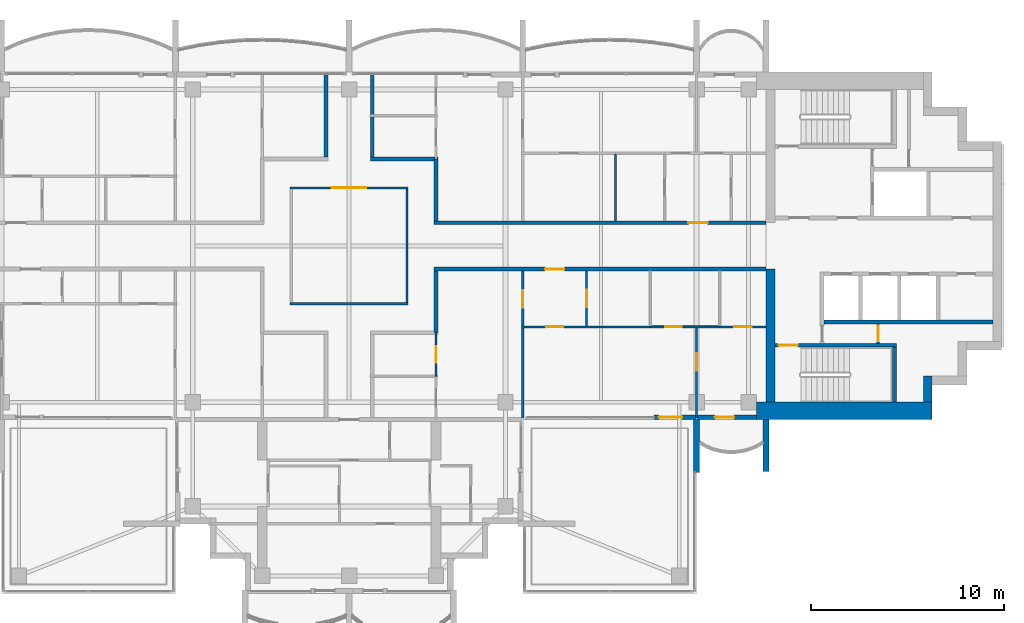
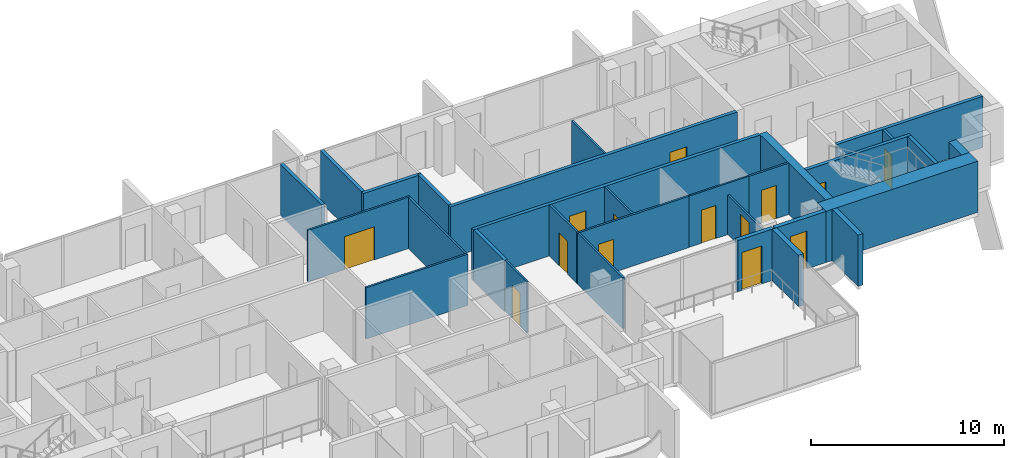
# One storey, part 10 of 16: 29 walls, 14 doors, 14 openings.
"""IFC4 building model written with IfcOpenShell, lengths in metres."""

from ifc_helpers import new_model, si_unit, direction, frame, frame_2d, origin, place, context, subcontext, project, spatial, rectangle, extrude, material, layer, layer_set, type_object, element, fill, save


model = new_model("IFC4")

# Units and contexts
model_context = context("Model", 3, precision=1e-05, world=origin(), true_north=direction((0.0, 1.0)))
body_context = subcontext(model_context, "Body", "Model", "MODEL_VIEW")
ifc_project = project(units=[si_unit("LENGTHUNIT", "METRE"), si_unit("AREAUNIT", "SQUARE_METRE"), si_unit("VOLUMEUNIT", "CUBIC_METRE"), si_unit("PLANEANGLEUNIT", "RADIAN"), si_unit("MASSUNIT", "GRAM", prefix="KILO")], contexts=[model_context])

# Site, building, storey
site_placement = place(None, origin())
site = spatial("IfcSite", under=ifc_project, at=site_placement, CompositionType="ELEMENT")
building_placement = place(site_placement, origin())
building = spatial("IfcBuilding", under=site, at=building_placement, Name="Perihelion Cross Residences", CompositionType="ELEMENT")
storey_placement = place(building_placement, frame((0.0, 0.0, 264.0)))
storey = spatial("IfcBuildingStorey", under=building, at=storey_placement, Name="L67", CompositionType="ELEMENT", Elevation=264.0)

# Wall, opening, door
ifc_material_1 = material(Name="Plasterboard partition")
ifc_layer_1 = layer(ifc_material_1, 0.199951171875)
ifc_layer_set_1 = layer_set([ifc_layer_1], Name="Apartment separation wall 200")
wall_type_1 = type_object("IfcWallType", Name="Apartment separation wall 200", PredefinedType="PARTITIONING", material=ifc_layer_set_1)
wall_1_placement = place(storey_placement, frame((4.39990234375, 1.199951171875, 0.0), z_axis=(0.0, 0.0, 1.0), x_axis=(1.0, 0.0, 0.0)))
wall_1 = element("IfcWall", 1, at=wall_1_placement, inside=storey, type_object=wall_type_1, Name="Partition L67 W005", PredefinedType="PARTITIONING", context=body_context, shape_type="SweptSolid", body=[
    extrude(rectangle(XDim=17.2001953125, YDim=0.199951171875, at=frame_2d((8.60009765625, 0.0))), origin(), (0.0, 0.0, 1.0), 3.25),
])
opening_1_placement = place(wall_1_placement, frame((13.175048828125, 0.0, 0.0)))
opening_1 = element("IfcOpeningElement", 2, at=opening_1_placement, cuts=wall_1, Name="Opening L67.A40", PredefinedType="OPENING", context=body_context, shape_type="SweptSolid", body=[
    extrude(rectangle(XDim=1.0, YDim=2.10009765625, at=frame_2d((0.5, 1.050048828125))), frame((0.0, 0.10986328125, 0.0), z_axis=(0.0, -1.0, 0.0), x_axis=(1.0, 0.0, 0.0)), (0.0, 0.0, 1.0), 0.219970703125),
])
ifc_material_2 = material(Name="Timber door leaf", Category="wood")
door_type_1 = type_object("IfcDoorType", Name="Flat entrance door 1000 x 2100", OperationType="SINGLE_SWING_LEFT", PredefinedType="DOOR", material=ifc_material_2)
door_1_placement = place(opening_1_placement, origin())
door_1 = element("IfcDoor", 3, at=door_1_placement, inside=storey, type_object=door_type_1, Name="Door L67.A40", OperationType="SINGLE_SWING_LEFT", OverallHeight=2.10009765625, OverallWidth=1.0, PredefinedType="DOOR", context=body_context, shape_type="SweptSolid", body=[
    extrude(rectangle(XDim=1.0, YDim=2.10009765625, at=frame_2d((0.5, 1.050048828125))), frame((0.0, 0.02490234375, 0.0), z_axis=(0.0, -1.0, 0.0), x_axis=(1.0, 0.0, 0.0)), (0.0, 0.0, 1.0), 0.050048828125),
])
fill(opening_1, door_1)

# Walls
wall_2_placement = place(storey_placement, frame((4.5, 4.5, 0.0), z_axis=(0.0, 0.0, 1.0), x_axis=(0.0, -1.0, 0.0)))
element("IfcWall", 4, at=wall_2_placement, inside=storey, type_object=wall_type_1, Name="Partition L67 W006", PredefinedType="PARTITIONING", context=body_context, shape_type="SweptSolid", body=[
    extrude(rectangle(XDim=3.199951171875, YDim=0.199951171875, at=frame_2d((1.60009765625, 0.0))), origin(), (0.0, 0.0, 1.0), 3.25),
])
wall_3_placement = place(storey_placement, frame((1.199951171875, 8.919921875, 0.0), z_axis=(0.0, 0.0, 1.0), x_axis=(0.0, -1.0, 0.0)))
element("IfcWall", 5, at=wall_3_placement, inside=storey, type_object=wall_type_1, Name="Partition L67 W007", PredefinedType="PARTITIONING", context=body_context, shape_type="SweptSolid", body=[
    extrude(rectangle(XDim=4.31982421875, YDim=0.199951171875, at=frame_2d((2.159912109375, 0.0))), origin(), (0.0, 0.0, 1.0), 3.25),
])
wall_4_placement = place(storey_placement, frame((1.10009765625, 4.5, 0.0), z_axis=(0.0, 0.0, 1.0), x_axis=(1.0, 0.0, 0.0)))
element("IfcWall", 6, at=wall_4_placement, inside=storey, type_object=wall_type_1, Name="Partition L67 W008", PredefinedType="PARTITIONING", context=body_context, shape_type="SweptSolid", body=[
    extrude(rectangle(XDim=3.5, YDim=0.199951171875, at=frame_2d((1.75, 0.0))), origin(), (0.0, 0.0, 1.0), 3.25),
])

# Wall, opening, door
wall_5_placement = place(storey_placement, frame((21.60009765625, -1.199951171875, 0.0), z_axis=(0.0, 0.0, 1.0), x_axis=(-1.0, 0.0, 0.0)))
wall_5 = element("IfcWall", 7, at=wall_5_placement, inside=storey, type_object=wall_type_1, Name="Partition L67 W009", PredefinedType="PARTITIONING", context=body_context, shape_type="SweptSolid", body=[
    extrude(rectangle(XDim=17.2001953125, YDim=0.199951171875, at=frame_2d((8.60009765625, 0.0))), origin(), (0.0, 0.0, 1.0), 3.25),
])
opening_2_placement = place(wall_5_placement, frame((10.449951171875, 0.0, 0.0)))
opening_2 = element("IfcOpeningElement", 8, at=opening_2_placement, cuts=wall_5, Name="Opening L67.A41", PredefinedType="OPENING", context=body_context, shape_type="SweptSolid", body=[
    extrude(rectangle(XDim=1.0, YDim=2.10009765625, at=frame_2d((0.5, 1.050048828125))), frame((0.0, 0.10986328125, 0.0), z_axis=(0.0, -1.0, 0.0), x_axis=(1.0, 0.0, 0.0)), (0.0, 0.0, 1.0), 0.219970703125),
])
door_2_placement = place(opening_2_placement, origin())
door_2 = element("IfcDoor", 9, at=door_2_placement, inside=storey, type_object=door_type_1, Name="Door L67.A41", OperationType="SINGLE_SWING_LEFT", OverallHeight=2.10009765625, OverallWidth=1.0, PredefinedType="DOOR", context=body_context, shape_type="SweptSolid", body=[
    extrude(rectangle(XDim=1.0, YDim=2.10009765625, at=frame_2d((0.5, 1.050048828125))), frame((0.0, 0.02490234375, 0.0), z_axis=(0.0, -1.0, 0.0), x_axis=(1.0, 0.0, 0.0)), (0.0, 0.0, 1.0), 0.050048828125),
])
fill(opening_2, door_2)

# Walls
wall_6_placement = place(storey_placement, frame((4.5, -1.300048828125, 0.0), z_axis=(0.0, 0.0, 1.0), x_axis=(0.0, -1.0, 0.0)))
element("IfcWall", 10, at=wall_6_placement, inside=storey, type_object=wall_type_1, Name="Partition L67 W010", PredefinedType="PARTITIONING", context=body_context, shape_type="SweptSolid", body=[
    extrude(rectangle(XDim=3.199951171875, YDim=0.199951171875, at=frame_2d((1.60009765625, 0.0))), origin(), (0.0, 0.0, 1.0), 3.25),
])
wall_7_placement = place(storey_placement, frame((-1.199951171875, 4.60009765625, 0.0), z_axis=(0.0, 0.0, 1.0), x_axis=(0.0, 1.0, 0.0)))
element("IfcWall", 11, at=wall_7_placement, inside=storey, type_object=wall_type_1, Name="Partition L67 W016", PredefinedType="PARTITIONING", context=body_context, shape_type="SweptSolid", body=[
    extrude(rectangle(XDim=4.31982421875, YDim=0.199951171875, at=frame_2d((2.159912109375, 0.0))), origin(), (0.0, 0.0, 1.0), 3.25),
])

# Wall, opening, door
ifc_material_3 = material(Name="Concrete C30/37, bronze-clad", Category="concrete")
ifc_layer_2 = layer(ifc_material_3, 0.25)
ifc_layer_set_2 = layer_set([ifc_layer_2], Name="Bronze-clad pier wall 250")
wall_type_2 = type_object("IfcWallType", Name="Bronze-clad pier wall 250", PredefinedType="SOLIDWALL", material=ifc_layer_set_2)
wall_8_placement = place(storey_placement, frame((15.800048828125, -8.875, 0.0), z_axis=(0.0, 0.0, 1.0), x_axis=(1.0, 0.0, 0.0)))
wall_8 = element("IfcWall", 12, at=wall_8_placement, inside=storey, type_object=wall_type_2, Name="Wall FW1 L67 east side south bay 1 pier", PredefinedType="SOLIDWALL", context=body_context, shape_type="SweptSolid", body=[
    extrude(rectangle(XDim=2.139892578125, YDim=0.25, at=frame_2d((1.06982421875, 0.0))), origin(), (0.0, 0.0, 1.0), 3.25),
])
opening_3_placement = place(wall_8_placement, frame((0.25, 0.0, 0.0)))
opening_3 = element("IfcOpeningElement", 13, at=opening_3_placement, cuts=wall_8, Name="Opening L67.E13", PredefinedType="OPENING", context=body_context, shape_type="SweptSolid", body=[
    extrude(rectangle(XDim=1.199951171875, YDim=2.39990234375, at=frame_2d((0.60009765625, 1.199951171875))), frame((0.0, 0.135009765625, 0.0), z_axis=(0.0, -1.0, 0.0), x_axis=(1.0, 0.0, 0.0)), (0.0, 0.0, 1.0), 0.27001953125),
])
ifc_material_4 = material(Name="Bronze anodised aluminium, glazed", Category="aluminium")
door_type_2 = type_object("IfcDoorType", Name="Balcony door 1200 x 2400", OperationType="NOTDEFINED", PredefinedType="DOOR", material=ifc_material_4)
door_3_placement = place(opening_3_placement, origin())
door_3 = element("IfcDoor", 14, at=door_3_placement, inside=storey, type_object=door_type_2, Name="Door L67.E13 east side south bay 1", OperationType="SINGLE_SWING_LEFT", OverallHeight=2.39990234375, OverallWidth=1.199951171875, PredefinedType="DOOR", context=body_context, shape_type="SweptSolid", body=[
    extrude(rectangle(XDim=1.199951171875, YDim=2.39990234375, at=frame_2d((0.60009765625, 1.199951171875))), frame((0.0, 0.02490234375, 0.0), z_axis=(0.0, -1.0, 0.0), x_axis=(1.0, 0.0, 0.0)), (0.0, 0.0, 1.0), 0.050048828125),
])
fill(opening_3, door_3)

wall_9_placement = place(storey_placement, frame((18.06005859375, -8.875, 0.0), z_axis=(0.0, 0.0, 1.0), x_axis=(1.0, 0.0, 0.0)))
wall_9 = element("IfcWall", 15, at=wall_9_placement, inside=storey, type_object=wall_type_2, Name="Wall FW1 L67 east side south bay 2 pier", PredefinedType="SOLIDWALL", context=body_context, shape_type="SweptSolid", body=[
    extrude(rectangle(XDim=3.0400390625, YDim=0.25, at=frame_2d((1.52001953125, 0.0))), origin(), (0.0, 0.0, 1.0), 3.25),
])
opening_4_placement = place(wall_9_placement, frame((0.889892578125, 0.0, 0.0)))
opening_4 = element("IfcOpeningElement", 16, at=opening_4_placement, cuts=wall_9, Name="Opening L67.E14", PredefinedType="OPENING", context=body_context, shape_type="SweptSolid", body=[
    extrude(rectangle(XDim=1.0, YDim=2.39990234375, at=frame_2d((0.5, 1.199951171875))), frame((0.0, 0.135009765625, 0.0), z_axis=(0.0, -1.0, 0.0), x_axis=(1.0, 0.0, 0.0)), (0.0, 0.0, 1.0), 0.27001953125),
])
ifc_material_5 = material(Name="Bronze anodised aluminium, glazed", Category="aluminium")
door_type_3 = type_object("IfcDoorType", Name="Balcony door 1000 x 2400", OperationType="NOTDEFINED", PredefinedType="DOOR", material=ifc_material_5)
door_4_placement = place(opening_4_placement, origin())
door_4 = element("IfcDoor", 17, at=door_4_placement, inside=storey, type_object=door_type_3, Name="Door L67.E14 east side south bay 2", OperationType="SINGLE_SWING_RIGHT", OverallHeight=2.39990234375, OverallWidth=1.0, PredefinedType="DOOR", context=body_context, shape_type="SweptSolid", body=[
    extrude(rectangle(XDim=1.0, YDim=2.39990234375, at=frame_2d((0.5, 1.199951171875))), frame((0.0, 0.02490234375, 0.0), z_axis=(0.0, -1.0, 0.0), x_axis=(1.0, 0.0, 0.0)), (0.0, 0.0, 1.0), 0.050048828125),
])
fill(opening_4, door_4)

# Walls
ifc_material_6 = material(Name="Concrete C60/75", Category="concrete")
ifc_layer_3 = layer(ifc_material_6, 0.449951171875)
ifc_layer_set_3 = layer_set([ifc_layer_3], Name="Core wall, inner 450")
wall_type_3 = type_object("IfcWallType", Name="Core wall, inner 450", PredefinedType="SHEAR", material=ifc_layer_set_3)
wall_10_placement = place(storey_placement, frame((21.824951171875, -8.10009765625, 0.0), z_axis=(0.0, 0.0, 1.0), x_axis=(0.0, 1.0, 0.0)))
element("IfcWall", 18, at=wall_10_placement, inside=storey, type_object=wall_type_3, Name="East core core wall, inner", PredefinedType="SHEAR", context=body_context, shape_type="SweptSolid", body=[
    extrude(rectangle(XDim=6.900146484375, YDim=0.449951171875, at=frame_2d((3.4501953125, 0.0))), origin(), (0.0, 0.0, 1.0), 3.25),
])
ifc_material_7 = material(Name="Concrete C60/75", Category="concrete")
ifc_layer_4 = layer(ifc_material_7, 0.449951171875)
ifc_layer_set_4 = layer_set([ifc_layer_4], Name="Core wall, outer 450")
wall_type_4 = type_object("IfcWallType", Name="Core wall, outer 450", PredefinedType="SHEAR", material=ifc_layer_set_4)
wall_11_placement = place(storey_placement, frame((29.97509765625, -8.10009765625, 0.0), z_axis=(0.0, 0.0, 1.0), x_axis=(0.0, 1.0, 0.0)))
element("IfcWall", 19, at=wall_11_placement, inside=storey, type_object=wall_type_4, Name="East core core wall, outer", PredefinedType="SHEAR", context=body_context, shape_type="SweptSolid", body=[
    extrude(rectangle(XDim=1.35009765625, YDim=0.449951171875, at=frame_2d((0.675048828125, 0.0))), origin(), (0.0, 0.0, 1.0), 3.25),
])
ifc_material_8 = material(Name="Concrete C60/75", Category="concrete")
ifc_layer_5 = layer(ifc_material_8, 0.89990234375)
ifc_layer_set_5 = layer_set([ifc_layer_5], Name="Core wall, outer 900")
wall_type_5 = type_object("IfcWallType", Name="Core wall, outer 900", PredefinedType="SHEAR", material=ifc_layer_set_5)
wall_12_placement = place(storey_placement, frame((21.10009765625, -8.550048828125, 0.0), z_axis=(0.0, 0.0, 1.0), x_axis=(1.0, 0.0, 0.0)))
element("IfcWall", 20, at=wall_12_placement, inside=storey, type_object=wall_type_5, Name="East core core wall, outer", PredefinedType="SHEAR", context=body_context, shape_type="SweptSolid", body=[
    extrude(rectangle(XDim=9.099853515625, YDim=0.89990234375, at=frame_2d((4.5498046875, 0.0))), origin(), (0.0, 0.0, 1.0), 3.25),
])
ifc_material_9 = material(Name="Plasterboard partition")
ifc_layer_6 = layer(ifc_material_9, 0.1201171875)
ifc_layer_set_6 = layer_set([ifc_layer_6], Name="Partition wall 120")
wall_type_6 = type_object("IfcWallType", Name="Partition wall 120", PredefinedType="PARTITIONING", material=ifc_layer_set_6)
wall_13_placement = place(storey_placement, frame((-3.06005859375, -3.0, 0.0), z_axis=(0.0, 0.0, 1.0), x_axis=(1.0, 0.0, 0.0)))
element("IfcWall", 21, at=wall_13_placement, inside=storey, type_object=wall_type_6, Name="Partition L67 W001", PredefinedType="PARTITIONING", context=body_context, shape_type="SweptSolid", body=[
    extrude(rectangle(XDim=6.1201171875, YDim=0.1201171875, at=frame_2d((3.06005859375, 0.0))), origin(), (0.0, 0.0, 1.0), 3.25),
])
wall_14_placement = place(storey_placement, frame((3.0, -2.93994140625, 0.0), z_axis=(0.0, 0.0, 1.0), x_axis=(0.0, 1.0, 0.0)))
element("IfcWall", 22, at=wall_14_placement, inside=storey, type_object=wall_type_6, Name="Partition L67 W002", PredefinedType="PARTITIONING", context=body_context, shape_type="SweptSolid", body=[
    extrude(rectangle(XDim=5.8798828125, YDim=0.1201171875, at=frame_2d((2.93994140625, 0.0))), origin(), (0.0, 0.0, 1.0), 3.25),
])

# Wall, opening, door
wall_15_placement = place(storey_placement, frame((3.06005859375, 3.0, 0.0), z_axis=(0.0, 0.0, 1.0), x_axis=(-1.0, 0.0, 0.0)))
wall_15 = element("IfcWall", 23, at=wall_15_placement, inside=storey, type_object=wall_type_6, Name="Partition L67 W003", PredefinedType="PARTITIONING", context=body_context, shape_type="SweptSolid", body=[
    extrude(rectangle(XDim=6.1201171875, YDim=0.1201171875, at=frame_2d((3.06005859375, 0.0))), origin(), (0.0, 0.0, 1.0), 3.25),
])
opening_5_placement = place(wall_15_placement, frame((2.159912109375, 0.0, 0.0)))
opening_5 = element("IfcOpeningElement", 24, at=opening_5_placement, cuts=wall_15, Name="Opening L67.A01", PredefinedType="OPENING", context=body_context, shape_type="SweptSolid", body=[
    extrude(rectangle(XDim=1.800048828125, YDim=2.10009765625, at=frame_2d((0.89990234375, 1.050048828125))), frame((0.0, 0.070068359375, 0.0), z_axis=(0.0, -1.0, 0.0), x_axis=(1.0, 0.0, 0.0)), (0.0, 0.0, 1.0), 0.14013671875),
])
ifc_material_10 = material(Name="Glazed timber door leaf", Category="wood")
door_type_4 = type_object("IfcDoorType", Name="Interior double leaf door 1800 x 2100", OperationType="DOUBLE_DOOR_SINGLE_SWING", PredefinedType="DOOR", material=ifc_material_10)
door_5_placement = place(opening_5_placement, origin())
door_5 = element("IfcDoor", 25, at=door_5_placement, inside=storey, type_object=door_type_4, Name="Door L67.A01", OperationType="SINGLE_SWING_LEFT", OverallHeight=2.10009765625, OverallWidth=1.800048828125, PredefinedType="DOOR", context=body_context, shape_type="SweptSolid", body=[
    extrude(rectangle(XDim=1.800048828125, YDim=2.10009765625, at=frame_2d((0.89990234375, 1.050048828125))), frame((0.0, 0.02490234375, 0.0), z_axis=(0.0, -1.0, 0.0), x_axis=(1.0, 0.0, 0.0)), (0.0, 0.0, 1.0), 0.050048828125),
])
fill(opening_5, door_5)

wall_16_placement = place(storey_placement, frame((12.300048828125, -1.300048828125, 0.0), z_axis=(0.0, 0.0, 1.0), x_axis=(0.0, -1.0, 0.0)))
wall_16 = element("IfcWall", 26, at=wall_16_placement, inside=storey, type_object=wall_type_6, Name="Partition L67 W033", PredefinedType="PARTITIONING", context=body_context, shape_type="SweptSolid", body=[
    extrude(rectangle(XDim=2.83984375, YDim=0.1201171875, at=frame_2d((1.419921875, 0.0))), origin(), (0.0, 0.0, 1.0), 3.25),
])
opening_6_placement = place(wall_16_placement, frame((0.969970703125, 0.0, 0.0)))
opening_6 = element("IfcOpeningElement", 27, at=opening_6_placement, cuts=wall_16, Name="Opening L67.A13", PredefinedType="OPENING", context=body_context, shape_type="SweptSolid", body=[
    extrude(rectangle(XDim=0.89990234375, YDim=2.10009765625, at=frame_2d((0.449951171875, 1.050048828125))), frame((0.0, 0.070068359375, 0.0), z_axis=(0.0, -1.0, 0.0), x_axis=(1.0, 0.0, 0.0)), (0.0, 0.0, 1.0), 0.14013671875),
])
ifc_material_11 = material(Name="Timber door leaf", Category="wood")
door_type_5 = type_object("IfcDoorType", Name="Interior room door 900 x 2100", OperationType="SINGLE_SWING_LEFT", PredefinedType="DOOR", material=ifc_material_11)
door_6_placement = place(opening_6_placement, origin())
door_6 = element("IfcDoor", 28, at=door_6_placement, inside=storey, type_object=door_type_5, Name="Door L67.A13", OperationType="SINGLE_SWING_LEFT", OverallHeight=2.10009765625, OverallWidth=0.89990234375, PredefinedType="DOOR", context=body_context, shape_type="SweptSolid", body=[
    extrude(rectangle(XDim=0.89990234375, YDim=2.10009765625, at=frame_2d((0.449951171875, 1.050048828125))), frame((0.0, 0.02490234375, 0.0), z_axis=(0.0, -1.0, 0.0), x_axis=(1.0, 0.0, 0.0)), (0.0, 0.0, 1.0), 0.050048828125),
])
fill(opening_6, door_6)

wall_17_placement = place(storey_placement, frame((15.60009765625, -4.199951171875, 0.0), z_axis=(0.0, 0.0, 1.0), x_axis=(-1.0, 0.0, 0.0)))
wall_17 = element("IfcWall", 29, at=wall_17_placement, inside=storey, type_object=wall_type_6, Name="Partition L67 W034", PredefinedType="PARTITIONING", context=body_context, shape_type="SweptSolid", body=[
    extrude(rectangle(XDim=6.66015625, YDim=0.1201171875, at=frame_2d((3.330078125, 0.0))), origin(), (0.0, 0.0, 1.0), 3.25),
])
opening_7_placement = place(wall_17_placement, frame((4.5, 0.0, 0.0)))
opening_7 = element("IfcOpeningElement", 30, at=opening_7_placement, cuts=wall_17, Name="Opening L67.A15", PredefinedType="OPENING", context=body_context, shape_type="SweptSolid", body=[
    extrude(rectangle(XDim=0.89990234375, YDim=2.10009765625, at=frame_2d((0.449951171875, 1.050048828125))), frame((0.0, 0.070068359375, 0.0), z_axis=(0.0, -1.0, 0.0), x_axis=(1.0, 0.0, 0.0)), (0.0, 0.0, 1.0), 0.14013671875),
])
door_7_placement = place(opening_7_placement, origin())
door_7 = element("IfcDoor", 31, at=door_7_placement, inside=storey, type_object=door_type_5, Name="Door L67.A15", OperationType="SINGLE_SWING_LEFT", OverallHeight=2.10009765625, OverallWidth=0.89990234375, PredefinedType="DOOR", context=body_context, shape_type="SweptSolid", body=[
    extrude(rectangle(XDim=0.89990234375, YDim=2.10009765625, at=frame_2d((0.449951171875, 1.050048828125))), frame((0.0, 0.02490234375, 0.0), z_axis=(0.0, -1.0, 0.0), x_axis=(1.0, 0.0, 0.0)), (0.0, 0.0, 1.0), 0.050048828125),
])
fill(opening_7, door_7)

wall_18_placement = place(storey_placement, frame((9.0, -8.919921875, 0.0), z_axis=(0.0, 0.0, 1.0), x_axis=(0.0, 1.0, 0.0)))
wall_18 = element("IfcWall", 32, at=wall_18_placement, inside=storey, type_object=wall_type_6, Name="Partition L67 W035", PredefinedType="PARTITIONING", context=body_context, shape_type="SweptSolid", body=[
    extrude(rectangle(XDim=7.619873046875, YDim=0.1201171875, at=frame_2d((3.81005859375, 0.0))), origin(), (0.0, 0.0, 1.0), 3.25),
])
opening_8_placement = place(wall_18_placement, frame((5.719970703125, 0.0, 0.0)))
opening_8 = element("IfcOpeningElement", 33, at=opening_8_placement, cuts=wall_18, Name="Opening L67.A12", PredefinedType="OPENING", context=body_context, shape_type="SweptSolid", body=[
    extrude(rectangle(XDim=0.89990234375, YDim=2.10009765625, at=frame_2d((0.449951171875, 1.050048828125))), frame((0.0, 0.070068359375, 0.0), z_axis=(0.0, -1.0, 0.0), x_axis=(1.0, 0.0, 0.0)), (0.0, 0.0, 1.0), 0.14013671875),
])
door_8_placement = place(opening_8_placement, origin())
door_8 = element("IfcDoor", 34, at=door_8_placement, inside=storey, type_object=door_type_5, Name="Door L67.A12", OperationType="SINGLE_SWING_RIGHT", OverallHeight=2.10009765625, OverallWidth=0.89990234375, PredefinedType="DOOR", context=body_context, shape_type="SweptSolid", body=[
    extrude(rectangle(XDim=0.89990234375, YDim=2.10009765625, at=frame_2d((0.449951171875, 1.050048828125))), frame((0.0, 0.02490234375, 0.0), z_axis=(0.0, -1.0, 0.0), x_axis=(1.0, 0.0, 0.0)), (0.0, 0.0, 1.0), 0.050048828125),
])
fill(opening_8, door_8)

wall_19_placement = place(storey_placement, frame((21.60009765625, -4.199951171875, 0.0), z_axis=(0.0, 0.0, 1.0), x_axis=(-1.0, 0.0, 0.0)))
wall_19 = element("IfcWall", 35, at=wall_19_placement, inside=storey, type_object=wall_type_6, Name="Partition L67 W039", PredefinedType="PARTITIONING", context=body_context, shape_type="SweptSolid", body=[
    extrude(rectangle(XDim=2.400146484375, YDim=0.1201171875, at=frame_2d((1.2001953125, 0.0))), origin(), (0.0, 0.0, 1.0), 3.25),
])
opening_9_placement = place(wall_19_placement, frame((0.75, 0.0, 0.0)))
opening_9 = element("IfcOpeningElement", 36, at=opening_9_placement, cuts=wall_19, Name="Opening L67.A16", PredefinedType="OPENING", context=body_context, shape_type="SweptSolid", body=[
    extrude(rectangle(XDim=0.89990234375, YDim=2.10009765625, at=frame_2d((0.449951171875, 1.050048828125))), frame((0.0, 0.070068359375, 0.0), z_axis=(0.0, -1.0, 0.0), x_axis=(1.0, 0.0, 0.0)), (0.0, 0.0, 1.0), 0.14013671875),
])
door_9_placement = place(opening_9_placement, origin())
door_9 = element("IfcDoor", 37, at=door_9_placement, inside=storey, type_object=door_type_5, Name="Door L67.A16", OperationType="SINGLE_SWING_RIGHT", OverallHeight=2.10009765625, OverallWidth=0.89990234375, PredefinedType="DOOR", context=body_context, shape_type="SweptSolid", body=[
    extrude(rectangle(XDim=0.89990234375, YDim=2.10009765625, at=frame_2d((0.449951171875, 1.050048828125))), frame((0.0, 0.02490234375, 0.0), z_axis=(0.0, -1.0, 0.0), x_axis=(1.0, 0.0, 0.0)), (0.0, 0.0, 1.0), 0.050048828125),
])
fill(opening_9, door_9)

wall_20_placement = place(storey_placement, frame((18.0, -4.25, 0.0), z_axis=(0.0, 0.0, 1.0), x_axis=(0.0, -1.0, 0.0)))
wall_20 = element("IfcWall", 38, at=wall_20_placement, inside=storey, type_object=wall_type_6, Name="Partition L67 W040", PredefinedType="PARTITIONING", context=body_context, shape_type="SweptSolid", body=[
    extrude(rectangle(XDim=4.669921875, YDim=0.1201171875, at=frame_2d((2.3349609375, 0.0))), origin(), (0.0, 0.0, 1.0), 2.49609375),
])
opening_10_placement = place(wall_20_placement, frame((1.324951171875, 0.0, 0.0)))
opening_10 = element("IfcOpeningElement", 39, at=opening_10_placement, cuts=wall_20, Name="Opening L67.A10", PredefinedType="OPENING", context=body_context, shape_type="SweptSolid", body=[
    extrude(rectangle(XDim=0.89990234375, YDim=2.10009765625, at=frame_2d((0.449951171875, 1.050048828125))), frame((0.0, 0.070068359375, 0.0), z_axis=(0.0, -1.0, 0.0), x_axis=(1.0, 0.0, 0.0)), (0.0, 0.0, 1.0), 0.14013671875),
])
door_10_placement = place(opening_10_placement, origin())
door_10 = element("IfcDoor", 40, at=door_10_placement, inside=storey, type_object=door_type_5, Name="Door L67.A10", OperationType="SINGLE_SWING_LEFT", OverallHeight=2.10009765625, OverallWidth=0.89990234375, PredefinedType="DOOR", context=body_context, shape_type="SweptSolid", body=[
    extrude(rectangle(XDim=0.89990234375, YDim=2.10009765625, at=frame_2d((0.449951171875, 1.050048828125))), frame((0.0, 0.02490234375, 0.0), z_axis=(0.0, -1.0, 0.0), x_axis=(1.0, 0.0, 0.0)), (0.0, 0.0, 1.0), 0.050048828125),
])
fill(opening_10, door_10)

# Walls
ifc_material_12 = material(Name="Precast concrete C50/60", Category="concrete")
ifc_layer_7 = layer(ifc_material_12, 0.300048828125)
ifc_layer_set_7 = layer_set([ifc_layer_7], Name="Precast concrete C50/60 blade wall 300")
wall_type_7 = type_object("IfcWallType", Name="Precast concrete C50/60 blade wall 300", PredefinedType="SOLIDWALL", material=ifc_layer_set_7)
wall_21_placement = place(storey_placement, frame((18.0, -9.0, 0.0), z_axis=(0.0, 0.0, 1.0), x_axis=(0.0, -1.0, 0.0)))
element("IfcWall", 41, at=wall_21_placement, inside=storey, type_object=wall_type_7, Name="Wall BL1 L67 no. 10", PredefinedType="SOLIDWALL", context=body_context, shape_type="SweptSolid", body=[
    extrude(rectangle(XDim=2.739990234375, YDim=0.300048828125, at=frame_2d((1.3701171875, 0.0))), origin(), (0.0, 0.0, 1.0), 3.25),
])
wall_22_placement = place(storey_placement, frame((21.60009765625, -9.0, 0.0), z_axis=(0.0, 0.0, 1.0), x_axis=(0.0, -1.0, 0.0)))
element("IfcWall", 42, at=wall_22_placement, inside=storey, type_object=wall_type_7, Name="Wall BL1 L67 no. 12", PredefinedType="SOLIDWALL", context=body_context, shape_type="SweptSolid", body=[
    extrude(rectangle(XDim=2.699951171875, YDim=0.300048828125, at=frame_2d((1.35009765625, 0.0))), origin(), (0.0, 0.0, 1.0), 3.25),
])

# Wall, opening, door
ifc_material_13 = material(Name="Fire-rated board on steel stud", Category="steel")
ifc_layer_8 = layer(ifc_material_13, 0.14990234375)
ifc_layer_set_8 = layer_set([ifc_layer_8], Name="Riser wall 150")
wall_type_8 = type_object("IfcWallType", Name="Riser wall 150", PredefinedType="PARTITIONING", material=ifc_layer_set_8)
wall_23_placement = place(storey_placement, frame((27.39990234375, -5.050048828125, 0.0), z_axis=(0.0, 0.0, 1.0), x_axis=(0.0, 1.0, 0.0)))
wall_23 = element("IfcWall", 43, at=wall_23_placement, inside=storey, type_object=wall_type_8, Name="East core riser wall", PredefinedType="PARTITIONING", context=body_context, shape_type="SweptSolid", body=[
    extrude(rectangle(XDim=1.0, YDim=0.14990234375, at=frame_2d((0.5, 0.0))), origin(), (0.0, 0.0, 1.0), 3.25),
])
opening_11_placement = place(wall_23_placement, frame((0.10009765625, 0.0, 0.0)))
opening_11 = element("IfcOpeningElement", 44, at=opening_11_placement, cuts=wall_23, Name="Opening L67.C11", PredefinedType="OPENING", context=body_context, shape_type="SweptSolid", body=[
    extrude(rectangle(XDim=0.800048828125, YDim=2.10009765625, at=frame_2d((0.39990234375, 1.050048828125))), frame((0.0, 0.0849609375, 0.0), z_axis=(0.0, -1.0, 0.0), x_axis=(1.0, 0.0, 0.0)), (0.0, 0.0, 1.0), 0.169921875),
])
ifc_material_14 = material(Name="Steel, powder coated", Category="steel")
door_type_6 = type_object("IfcDoorType", Name="Riser door 800", OperationType="SINGLE_SWING_LEFT", PredefinedType="DOOR", material=ifc_material_14)
door_11_placement = place(opening_11_placement, origin())
door_11 = element("IfcDoor", 45, at=door_11_placement, inside=storey, type_object=door_type_6, Name="East core riser door", OperationType="SINGLE_SWING_LEFT", OverallHeight=2.10009765625, OverallWidth=0.800048828125, PredefinedType="DOOR", context=body_context, shape_type="SweptSolid", body=[
    extrude(rectangle(XDim=0.800048828125, YDim=2.10009765625, at=frame_2d((0.39990234375, 1.050048828125))), frame((0.0, 0.02490234375, 0.0), z_axis=(0.0, -1.0, 0.0), x_axis=(1.0, 0.0, 0.0)), (0.0, 0.0, 1.0), 0.050048828125),
])
fill(opening_11, door_11)

# Wall
ifc_material_15 = material(Name="Concrete C50/60", Category="concrete")
ifc_layer_9 = layer(ifc_material_15, 0.199951171875)
ifc_layer_set_9 = layer_set([ifc_layer_9], Name="Shaft wall 200")
wall_type_9 = type_object("IfcWallType", Name="Shaft wall 200", PredefinedType="SOLIDWALL", material=ifc_layer_set_9)
wall_24_placement = place(storey_placement, frame((24.60009765625, -3.949951171875, 0.0), z_axis=(0.0, 0.0, 1.0), x_axis=(1.0, 0.0, 0.0)))
element("IfcWall", 46, at=wall_24_placement, inside=storey, type_object=wall_type_9, Name="East core shaft wall", PredefinedType="SOLIDWALL", context=body_context, shape_type="SweptSolid", body=[
    extrude(rectangle(XDim=8.75, YDim=0.199951171875, at=frame_2d((4.375, 0.0))), origin(), (0.0, 0.0, 1.0), 3.25),
])

# Wall, opening, door
ifc_material_16 = material(Name="Concrete C50/60", Category="concrete")
ifc_layer_10 = layer(ifc_material_16, 0.199951171875)
ifc_layer_set_10 = layer_set([ifc_layer_10], Name="Stair wall 200")
wall_type_10 = type_object("IfcWallType", Name="Stair wall 200", PredefinedType="SOLIDWALL", material=ifc_layer_set_10)
wall_25_placement = place(storey_placement, frame((22.050048828125, -5.14990234375, 0.0), z_axis=(0.0, 0.0, 1.0), x_axis=(1.0, 0.0, 0.0)))
wall_25 = element("IfcWall", 47, at=wall_25_placement, inside=storey, type_object=wall_type_10, Name="East core stair wall", PredefinedType="SOLIDWALL", context=body_context, shape_type="SweptSolid", body=[
    extrude(rectangle(XDim=6.300048828125, YDim=0.199951171875, at=frame_2d((3.14990234375, 0.0))), origin(), (0.0, 0.0, 1.0), 3.25),
])
opening_12_placement = place(wall_25_placement, frame((0.199951171875, 0.0, 0.0)))
opening_12 = element("IfcOpeningElement", 48, at=opening_12_placement, cuts=wall_25, Name="Opening L67.C05", PredefinedType="OPENING", context=body_context, shape_type="SweptSolid", body=[
    extrude(rectangle(XDim=1.0, YDim=2.10009765625, at=frame_2d((0.5, 1.050048828125))), frame((0.0, 0.10986328125, 0.0), z_axis=(0.0, -1.0, 0.0), x_axis=(1.0, 0.0, 0.0)), (0.0, 0.0, 1.0), 0.219970703125),
])
ifc_material_17 = material(Name="Steel, powder coated", Category="steel")
door_type_7 = type_object("IfcDoorType", Name="Stair door 1000", OperationType="SINGLE_SWING_LEFT", PredefinedType="DOOR", material=ifc_material_17)
door_12_placement = place(opening_12_placement, origin())
door_12 = element("IfcDoor", 49, at=door_12_placement, inside=storey, type_object=door_type_7, Name="East core stair door", OperationType="SINGLE_SWING_LEFT", OverallHeight=2.10009765625, OverallWidth=1.0, PredefinedType="DOOR", context=body_context, shape_type="SweptSolid", body=[
    extrude(rectangle(XDim=1.0, YDim=2.10009765625, at=frame_2d((0.5, 1.050048828125))), frame((0.0, 0.02490234375, 0.0), z_axis=(0.0, -1.0, 0.0), x_axis=(1.0, 0.0, 0.0)), (0.0, 0.0, 1.0), 0.050048828125),
])
fill(opening_12, door_12)

# Walls
wall_26_placement = place(storey_placement, frame((28.25, -8.10009765625, 0.0), z_axis=(0.0, 0.0, 1.0), x_axis=(0.0, 1.0, 0.0)))
element("IfcWall", 50, at=wall_26_placement, inside=storey, type_object=wall_type_10, Name="East core stair wall", PredefinedType="SOLIDWALL", context=body_context, shape_type="SweptSolid", body=[
    extrude(rectangle(XDim=2.85009765625, YDim=0.199951171875, at=frame_2d((1.425048828125, 0.0))), origin(), (0.0, 0.0, 1.0), 3.25),
])
ifc_material_18 = material(Name="Plasterboard partition")
ifc_layer_11 = layer(ifc_material_18, 0.10009765625)
ifc_layer_set_11 = layer_set([ifc_layer_11], Name="Wet room wall 100")
wall_type_11 = type_object("IfcWallType", Name="Wet room wall 100", PredefinedType="PARTITIONING", material=ifc_layer_set_11)
wall_27_placement = place(storey_placement, frame((13.800048828125, 4.739990234375, 0.0), z_axis=(0.0, 0.0, 1.0), x_axis=(0.0, -1.0, 0.0)))
element("IfcWall", 51, at=wall_27_placement, inside=storey, type_object=wall_type_11, Name="Partition L67 W022", PredefinedType="PARTITIONING", context=body_context, shape_type="SweptSolid", body=[
    extrude(rectangle(XDim=3.43994140625, YDim=0.10009765625, at=frame_2d((1.719970703125, 0.0))), origin(), (0.0, 0.0, 1.0), 3.25),
])

# Wall, opening, door
wall_28_placement = place(storey_placement, frame((19.199951171875, -4.199951171875, 0.0), z_axis=(0.0, 0.0, 1.0), x_axis=(-1.0, 0.0, 0.0)))
wall_28 = element("IfcWall", 52, at=wall_28_placement, inside=storey, type_object=wall_type_11, Name="Partition L67 W038", PredefinedType="PARTITIONING", context=body_context, shape_type="SweptSolid", body=[
    extrude(rectangle(XDim=3.599853515625, YDim=0.10009765625, at=frame_2d((1.7998046875, 0.0))), origin(), (0.0, 0.0, 1.0), 3.25),
])
opening_13_placement = place(wall_28_placement, frame((1.97509765625, 0.0, 0.0)))
opening_13 = element("IfcOpeningElement", 53, at=opening_13_placement, cuts=wall_28, Name="Opening L67.A17", PredefinedType="OPENING", context=body_context, shape_type="SweptSolid", body=[
    extrude(rectangle(XDim=0.85009765625, YDim=2.10009765625, at=frame_2d((0.425048828125, 1.050048828125))), frame((0.0, 0.06005859375, 0.0), z_axis=(0.0, -1.0, 0.0), x_axis=(1.0, 0.0, 0.0)), (0.0, 0.0, 1.0), 0.1201171875),
])
ifc_material_19 = material(Name="Timber door leaf", Category="wood")
door_type_8 = type_object("IfcDoorType", Name="Interior bathroom door 850 x 2100", OperationType="SINGLE_SWING_LEFT", PredefinedType="DOOR", material=ifc_material_19)
door_13_placement = place(opening_13_placement, origin())
door_13 = element("IfcDoor", 54, at=door_13_placement, inside=storey, type_object=door_type_8, Name="Door L67.A17", OperationType="SINGLE_SWING_LEFT", OverallHeight=2.10009765625, OverallWidth=0.85009765625, PredefinedType="DOOR", context=body_context, shape_type="SweptSolid", body=[
    extrude(rectangle(XDim=0.85009765625, YDim=2.10009765625, at=frame_2d((0.425048828125, 1.050048828125))), frame((0.0, 0.02490234375, 0.0), z_axis=(0.0, -1.0, 0.0), x_axis=(1.0, 0.0, 0.0)), (0.0, 0.0, 1.0), 0.050048828125),
])
fill(opening_13, door_13)

wall_29_placement = place(storey_placement, frame((4.5, -6.75, 0.0), z_axis=(0.0, 0.0, 1.0), x_axis=(0.0, 1.0, 0.0)))
wall_29 = element("IfcWall", 55, at=wall_29_placement, inside=storey, type_object=wall_type_11, Name="Partition L67 W041", PredefinedType="PARTITIONING", context=body_context, shape_type="SweptSolid", body=[
    extrude(rectangle(XDim=2.25, YDim=0.10009765625, at=frame_2d((1.125, 0.0))), origin(), (0.0, 0.0, 1.0), 3.25),
])
opening_14_placement = place(wall_29_placement, frame((0.699951171875, 0.0, 0.0)))
opening_14 = element("IfcOpeningElement", 56, at=opening_14_placement, cuts=wall_29, Name="Opening L67.A11", PredefinedType="OPENING", context=body_context, shape_type="SweptSolid", body=[
    extrude(rectangle(XDim=0.85009765625, YDim=2.10009765625, at=frame_2d((0.425048828125, 1.050048828125))), frame((0.0, 0.06005859375, 0.0), z_axis=(0.0, -1.0, 0.0), x_axis=(1.0, 0.0, 0.0)), (0.0, 0.0, 1.0), 0.1201171875),
])
door_14_placement = place(opening_14_placement, origin())
door_14 = element("IfcDoor", 57, at=door_14_placement, inside=storey, type_object=door_type_8, Name="Door L67.A11", OperationType="SINGLE_SWING_LEFT", OverallHeight=2.10009765625, OverallWidth=0.85009765625, PredefinedType="DOOR", context=body_context, shape_type="SweptSolid", body=[
    extrude(rectangle(XDim=0.85009765625, YDim=2.10009765625, at=frame_2d((0.425048828125, 1.050048828125))), frame((0.0, 0.02490234375, 0.0), z_axis=(0.0, -1.0, 0.0), x_axis=(1.0, 0.0, 0.0)), (0.0, 0.0, 1.0), 0.050048828125),
])
fill(opening_14, door_14)

save(model, "model.ifc")
